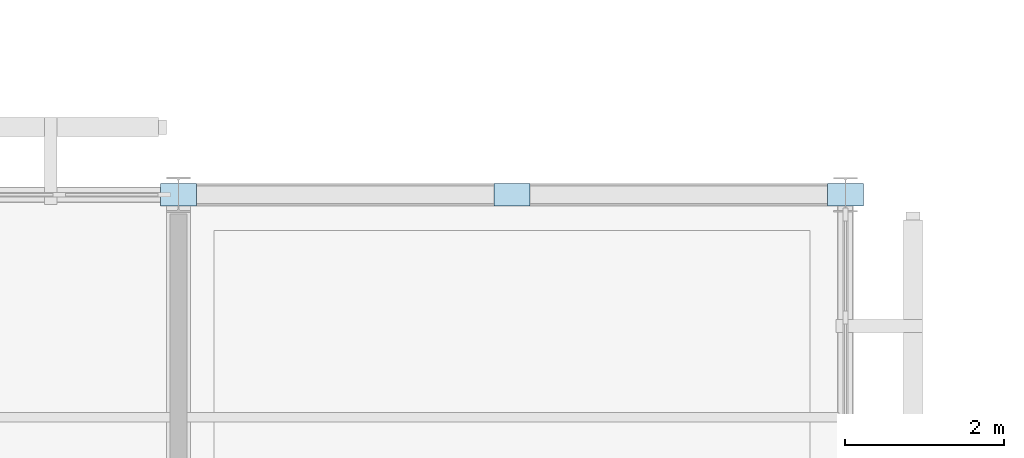
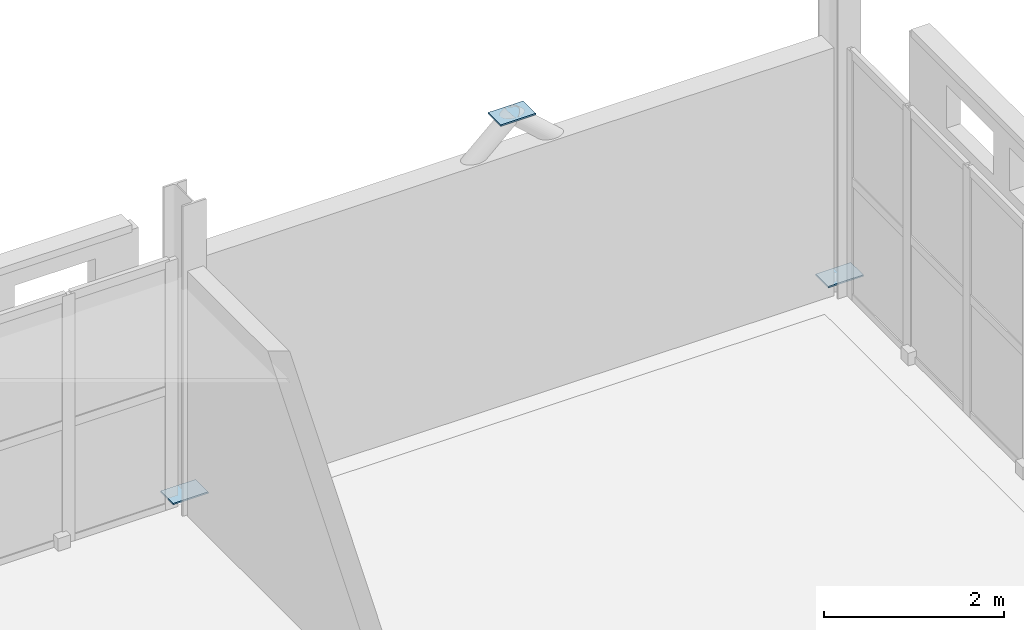
# One storey, part 95 of 166: 3 plates.
"""IFC4 building model written with IfcOpenShell, lengths in metres."""

from ifc_helpers import new_model, si_unit, direction, frame, origin, origin_2d, place, context, subcontext, project, spatial, rectangle, extrude, material, layer, layer_set, type_object, element, save


model = new_model("IFC4")

# Units and contexts
model_context = context("Model", 3, precision=1e-05, world=origin(), true_north=direction((0.0, 1.0)))
body_context = subcontext(model_context, "Body", "Model", "MODEL_VIEW")
ifc_project = project(units=[si_unit("LENGTHUNIT", "METRE"), si_unit("AREAUNIT", "SQUARE_METRE"), si_unit("VOLUMEUNIT", "CUBIC_METRE"), si_unit("PLANEANGLEUNIT", "RADIAN"), si_unit("MASSUNIT", "GRAM", prefix="KILO")], contexts=[model_context])

# Site, building, storey
site_placement = place(None, origin())
site = spatial("IfcSite", under=ifc_project, at=site_placement, CompositionType="ELEMENT")
building_placement = place(site_placement, origin())
building = spatial("IfcBuilding", under=site, at=building_placement, Name="Varnapada Polytechnic", CompositionType="ELEMENT")
storey_placement = place(building_placement, frame((0.0, 0.0, 9.60009765625)))
storey = spatial("IfcBuildingStorey", under=building, at=storey_placement, Name="L02", CompositionType="ELEMENT", Elevation=9.60009765625)

# Plates
ifc_material = material(Name="Steel S355", Category="steel")
ifc_layer = layer(ifc_material, 0.02001953125)
ifc_layer_set = layer_set([ifc_layer], Name="Steel S355")
plate_type = type_object("IfcPlateType", Name="Plate BP-03", PredefinedType="SHEET", material=ifc_layer_set)
for number, where, z_axis, x_axis, name in (
    (1, (130.199951171875, 126.0, 3.789794921875), (0.0, 0.0, 1.0), (1.0, 0.0, 0.0), "L02 chevron brace gusset plate 6"),
    (2, (126.0, 126.0, 0.1298828125), (0.0, 0.0, 1.0), (1.0, 0.0, 0.0), "L02 chevron brace base gusset plate 6L"),
    (3, (134.39990234375, 126.0, 0.1298828125), (0.0, 0.0, 1.0), (1.0, 0.0, 0.0), "L02 chevron brace base gusset plate 6R"),
):
    element("IfcPlate", number, at=place(storey_placement, frame(where, z_axis=z_axis, x_axis=x_axis)), inside=storey, type_object=plate_type, Name=name, PredefinedType="SHEET", context=body_context, shape_type="SweptSolid", body=[
        extrude(rectangle(XDim=0.449951171875, YDim=0.280029296875, at=origin_2d()), origin(), (0.0, 0.0, 1.0), 0.02001953125),
    ])

save(model, "model.ifc")
